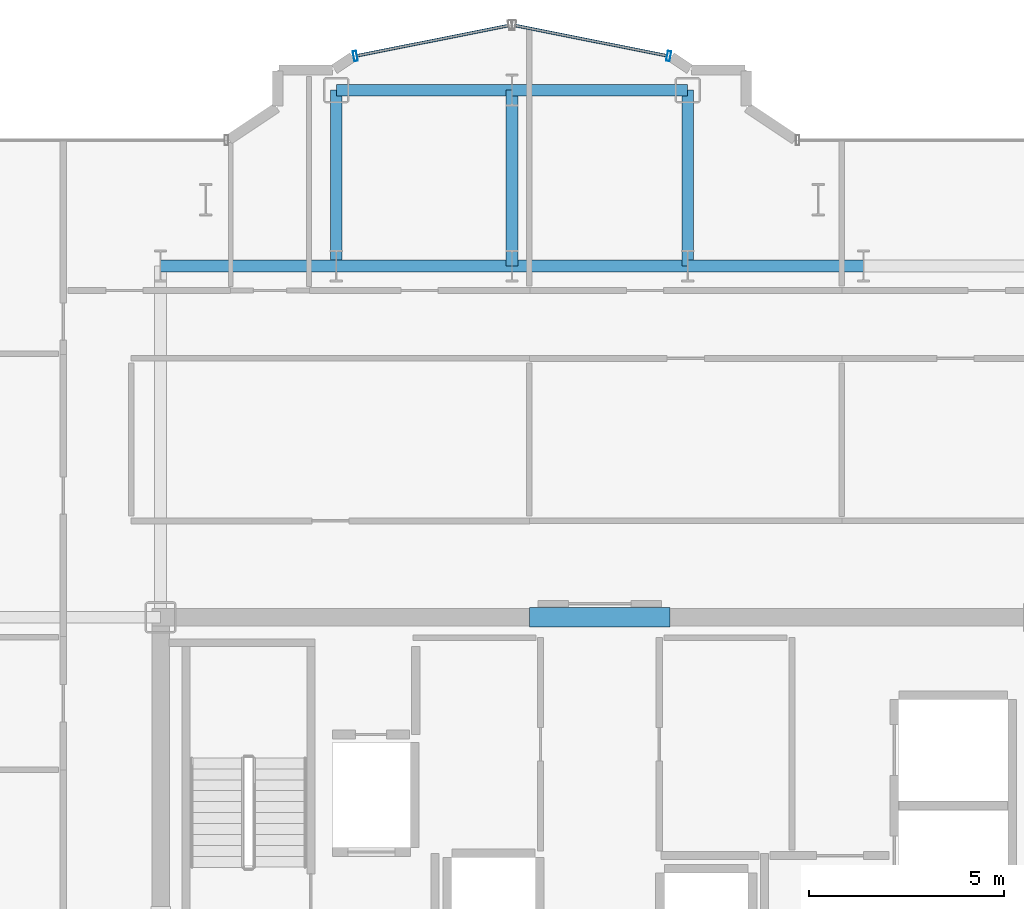
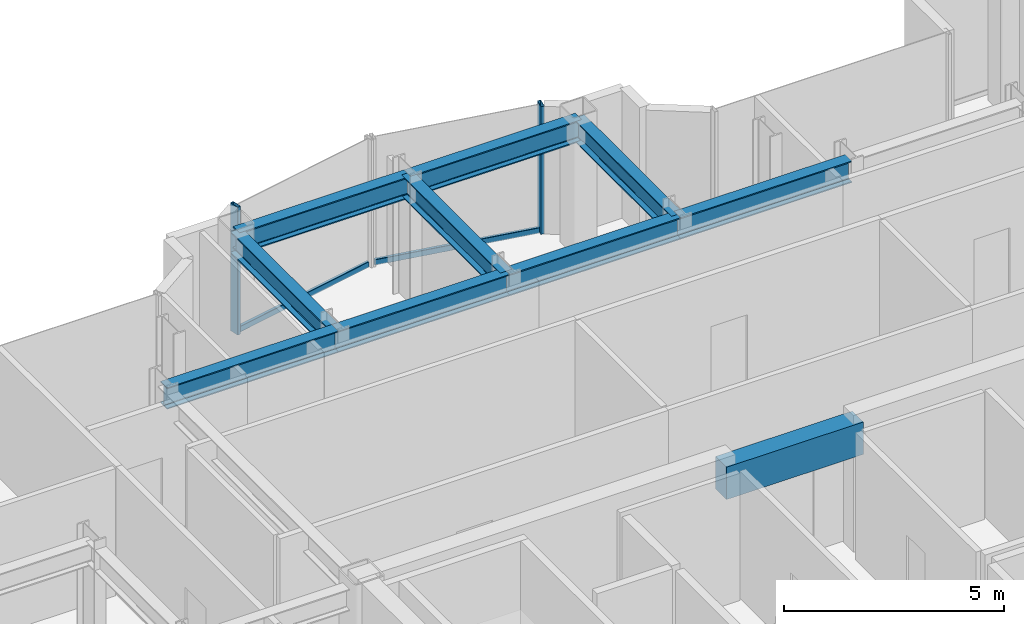
# One storey, part 10 of 21: 10 beams, 4 members, 2 elements without a shape of their own.
"""IFC4 building model written with IfcOpenShell, lengths in metres."""

from ifc_helpers import new_model, si_unit, direction, frame, origin, origin_2d, place, context, subcontext, project, spatial, rectangle, hollow_rectangle, i_section, extrude, source, transform, mapped, material, layer, layer_set, material_profile, profile_set, type_object, element, aggregate, save


model = new_model("IFC4")

# Units and contexts
model_context = context("Model", 3, precision=1e-05, world=origin(), true_north=direction((0.0, 1.0)))
body_context = subcontext(model_context, "Body", "Model", "MODEL_VIEW")
ifc_project = project(units=[si_unit("LENGTHUNIT", "METRE"), si_unit("AREAUNIT", "SQUARE_METRE"), si_unit("VOLUMEUNIT", "CUBIC_METRE"), si_unit("PLANEANGLEUNIT", "RADIAN"), si_unit("MASSUNIT", "GRAM", prefix="KILO")], contexts=[model_context])

# Site, building, storey
site_placement = place(None, origin())
site = spatial("IfcSite", under=ifc_project, at=site_placement, CompositionType="ELEMENT")
building_placement = place(site_placement, origin())
building = spatial("IfcBuilding", under=site, at=building_placement, Name="Nefas-Gora Pilgrimage Tower", CompositionType="ELEMENT")
storey_placement = place(building_placement, frame((0.0, 0.0, 229.39990234375)))
storey = spatial("IfcBuildingStorey", under=building, at=storey_placement, Name="L57", CompositionType="ELEMENT", Elevation=229.39990234375)

# Beams
ifc_material_1 = material(Name="Concrete C50/60", Category="concrete")
ifc_material_profile_1 = material_profile(ifc_material_1, rectangle(XDim=0.5, YDim=0.89990234375, at=origin_2d()), Name="RC 500x900")
ifc_profile_set_1 = profile_set([ifc_material_profile_1], Name="Concrete C50/60")
beam_type_1 = type_object("IfcBeamType", Name="BM-LIN-RC900", PredefinedType="LINTEL", material=ifc_profile_set_1)
shared_shape_1 = source(origin(), body_context, "Body", "SweptSolid", [
    extrude(rectangle(XDim=0.5, YDim=0.89990234375, at=origin_2d()), origin(), (0.0, 0.0, 1.0), 3.60009765625),
])
beam_placement = place(storey_placement, frame((-1.800048828125, 9.0, 3.10009765625), z_axis=(1.0, 0.0, 0.0), x_axis=(0.0, 1.0, 0.0)))
element("IfcBeam", 1, at=beam_placement, inside=storey, type_object=beam_type_1, Name="L57 Core Coupling Lintel Beam N", PredefinedType="LINTEL", context=body_context, shape_type="MappedRepresentation", body=[
    mapped(shared_shape_1, transform((0.0, 0.0, 0.0), x_axis=(1.0, 0.0, 0.0), y_axis=(0.0, 1.0, 0.0), z_axis=(0.0, 0.0, 1.0), scale=1.0)),
])
ifc_material_2 = material(Name="Steel S355", Category="steel")
ifc_material_profile_2 = material_profile(ifc_material_2, i_section(OverallWidth=0.300048828125, OverallDepth=0.60009765625, WebThickness=0.015380859375, FlangeThickness=0.030029296875, FilletRadius=0.027099609375, at=origin_2d()), Name="HEB 600")
ifc_profile_set_2 = profile_set([ifc_material_profile_2], Name="Steel S355")
beam_type_2 = type_object("IfcBeamType", Name="BM-GIR-HEB600", PredefinedType="BEAM", material=ifc_profile_set_2)
shared_shape_2 = source(origin(), body_context, "Body", "SweptSolid", [
    extrude(i_section(OverallWidth=0.300048828125, OverallDepth=0.60009765625, WebThickness=0.015380859375, FlangeThickness=0.030029296875, FilletRadius=0.027099609375, at=origin_2d()), origin(), (0.0, 0.0, 1.0), 4.5),
])
for number, where, z_axis, x_axis, name in (
    (2, (-11.25, 18.0, 3.25), (1.0, 0.0, 0.0), (0.0, 1.0, 0.0), "L57 G-04 beam"),
    (3, (-6.75, 18.0, 3.25), (0.0, 1.0, 0.0), (-1.0, 0.0, 0.0), "L57 G-04 beam"),
    (4, (-6.75, 18.0, 3.25), (1.0, 0.0, 0.0), (0.0, 1.0, 0.0), "L57 G-04 beam"),
    (5, (-6.75, 22.5, 3.25), (1.0, 0.0, 0.0), (0.0, 1.0, 0.0), "L57 G-04 beam"),
    (6, (-2.25, 18.0, 3.25), (0.0, 1.0, 0.0), (-1.0, 0.0, 0.0), "L57 G-04 beam"),
    (7, (-2.25, 18.0, 3.25), (1.0, 0.0, 0.0), (0.0, 1.0, 0.0), "L57 G-04 beam"),
    (8, (-2.25, 22.5, 3.25), (1.0, 0.0, 0.0), (0.0, 1.0, 0.0), "L57 G-04 beam"),
    (9, (2.25, 18.0, 3.25), (0.0, 1.0, 0.0), (-1.0, 0.0, 0.0), "L57 G-04 beam"),
    (10, (2.25, 18.0, 3.25), (1.0, 0.0, 0.0), (0.0, 1.0, 0.0), "L57 G-04 beam"),
):
    element("IfcBeam", number, at=place(storey_placement, frame(where, z_axis=z_axis, x_axis=x_axis)), inside=storey, type_object=beam_type_2, Name=name, PredefinedType="BEAM", context=body_context, shape_type="MappedRepresentation", body=[
        mapped(shared_shape_2, transform((0.0, 0.0, 0.0), x_axis=(1.0, 0.0, 0.0), y_axis=(0.0, 1.0, 0.0), z_axis=(0.0, 0.0, 1.0), scale=1.0)),
    ])

# Curtain wall, member
ifc_material_3 = material(Name="Dark ceramic-fritted solar-control aluminium-glass curtain wall", Category="aluminium")
ifc_layer = layer(ifc_material_3, 0.219970703125)
ifc_layer_set = layer_set([ifc_layer], Name="Dark ceramic-fritted solar-control aluminium-glass curtain wall")
curtain_wall_type = type_object("IfcCurtainWallType", Name="CW-SYS-5", PredefinedType="NOTDEFINED", material=ifc_layer_set)
curtain_wall_1_placement = place(storey_placement, origin())
curtain_wall_1 = element("IfcCurtainWall", 11, at=curtain_wall_1_placement, inside=storey, type_object=curtain_wall_type, Name="L57 Unitised Curtain Wall CW5", PredefinedType="NOTDEFINED")
ifc_material_4 = material(Name="Anodised architectural aluminium", Category="aluminium")
ifc_material_profile_3 = material_profile(ifc_material_4, hollow_rectangle(XDim=0.090087890625, YDim=0.260009765625, WallThickness=0.006103515625, InnerFilletRadius=0.006103515625, OuterFilletRadius=0.011962890625, at=origin_2d()), Name="ALU MULLION 90x260")
ifc_profile_set_3 = profile_set([ifc_material_profile_3], Name="Anodised architectural aluminium")
member_type_1 = type_object("IfcMemberType", Name="CWM-MUL-5", PredefinedType="MULLION", material=ifc_profile_set_3)
shared_shape_3 = source(origin(), body_context, "Body", "SweptSolid", [
    extrude(hollow_rectangle(XDim=0.090087890625, YDim=0.260009765625, WallThickness=0.006103515625, InnerFilletRadius=0.006103515625, OuterFilletRadius=0.011962890625, at=origin_2d()), origin(), (0.0, 0.0, 1.0), 3.550048828125),
])
member_1_placement = place(storey_placement, frame((1.76318359375, 23.3740234375, 0.0), z_axis=(0.0, 0.0, 1.0), x_axis=(-0.980782896852, 0.195102304554, 0.0)))
member_1 = element("IfcMember", 12, at=member_1_placement, type_object=member_type_1, Name="CW5 Mullion 1", PredefinedType="MULLION", context=body_context, shape_type="MappedRepresentation", body=[
    mapped(shared_shape_3, transform((0.0, 0.0, 0.0), x_axis=(1.0, 0.0, 0.0), y_axis=(0.0, 1.0, 0.0), z_axis=(0.0, 0.0, 1.0), scale=1.0)),
])

curtain_wall_2_placement = place(storey_placement, origin())
curtain_wall_2 = element("IfcCurtainWall", 13, at=curtain_wall_2_placement, inside=storey, type_object=curtain_wall_type, Name="L57 Unitised Curtain Wall CW5", PredefinedType="NOTDEFINED")
member_2_placement = place(storey_placement, frame((-6.26318359375, 23.3740234375, 0.0), z_axis=(0.0, 0.0, 1.0), x_axis=(-0.980782896852, -0.195102304554, 0.0)))
member_2 = element("IfcMember", 14, at=member_2_placement, type_object=member_type_1, Name="CW5 Mullion 2", PredefinedType="MULLION", context=body_context, shape_type="MappedRepresentation", body=[
    mapped(shared_shape_3, transform((0.0, 0.0, 0.0), x_axis=(1.0, 0.0, 0.0), y_axis=(0.0, 1.0, 0.0), z_axis=(0.0, 0.0, 1.0), scale=1.0)),
])

# Member
ifc_material_profile_4 = material_profile(ifc_material_4, hollow_rectangle(XDim=0.080078125, YDim=0.159912109375, WallThickness=0.00439453125, InnerFilletRadius=0.00439453125, OuterFilletRadius=0.009033203125, at=origin_2d()), Name="ALU TRANSOM 80x160")
ifc_profile_set_4 = profile_set([ifc_material_profile_4], Name="Anodised architectural aluminium")
member_type_2 = type_object("IfcMemberType", Name="CWM-TRN-5", PredefinedType="USERDEFINED", material=ifc_profile_set_4)
shared_shape_4 = source(origin(), body_context, "Body", "SweptSolid", [
    extrude(hollow_rectangle(XDim=0.080078125, YDim=0.159912109375, WallThickness=0.00439453125, InnerFilletRadius=0.00439453125, OuterFilletRadius=0.009033203125, at=origin_2d()), origin(), (0.0, 0.0, 1.0), 3.95654296875),
])
member_3_placement = place(storey_placement, frame((1.718994140625, 23.3828125, 0.050048828125), z_axis=(-0.980781880918, 0.195107411605, 0.0), x_axis=(-0.195107411605, -0.980781880918, 0.0)))
member_3 = element("IfcMember", 15, at=member_3_placement, type_object=member_type_2, Name="CW5 Spandrel Transom", ObjectType="TRANSOM", PredefinedType="USERDEFINED", context=body_context, shape_type="MappedRepresentation", body=[
    mapped(shared_shape_4, transform((0.0, 0.0, 0.0), x_axis=(1.0, 0.0, 0.0), y_axis=(0.0, 1.0, 0.0), z_axis=(0.0, 0.0, 1.0), scale=1.0)),
])

aggregate(curtain_wall_1, [member_1, member_3])

member_4_placement = place(storey_placement, frame((-2.33837890625, 24.15478515625, 0.050048828125), z_axis=(-0.980781880918, -0.195107411605, 0.0), x_axis=(0.195107411605, -0.980781880918, 0.0)))
member_4 = element("IfcMember", 16, at=member_4_placement, type_object=member_type_2, Name="CW5 Spandrel Transom", ObjectType="TRANSOM", PredefinedType="USERDEFINED", context=body_context, shape_type="MappedRepresentation", body=[
    mapped(shared_shape_4, transform((0.0, 0.0, 0.0), x_axis=(1.0, 0.0, 0.0), y_axis=(0.0, 1.0, 0.0), z_axis=(0.0, 0.0, 1.0), scale=1.0)),
])

aggregate(curtain_wall_2, [member_2, member_4])

save(model, "model.ifc")
